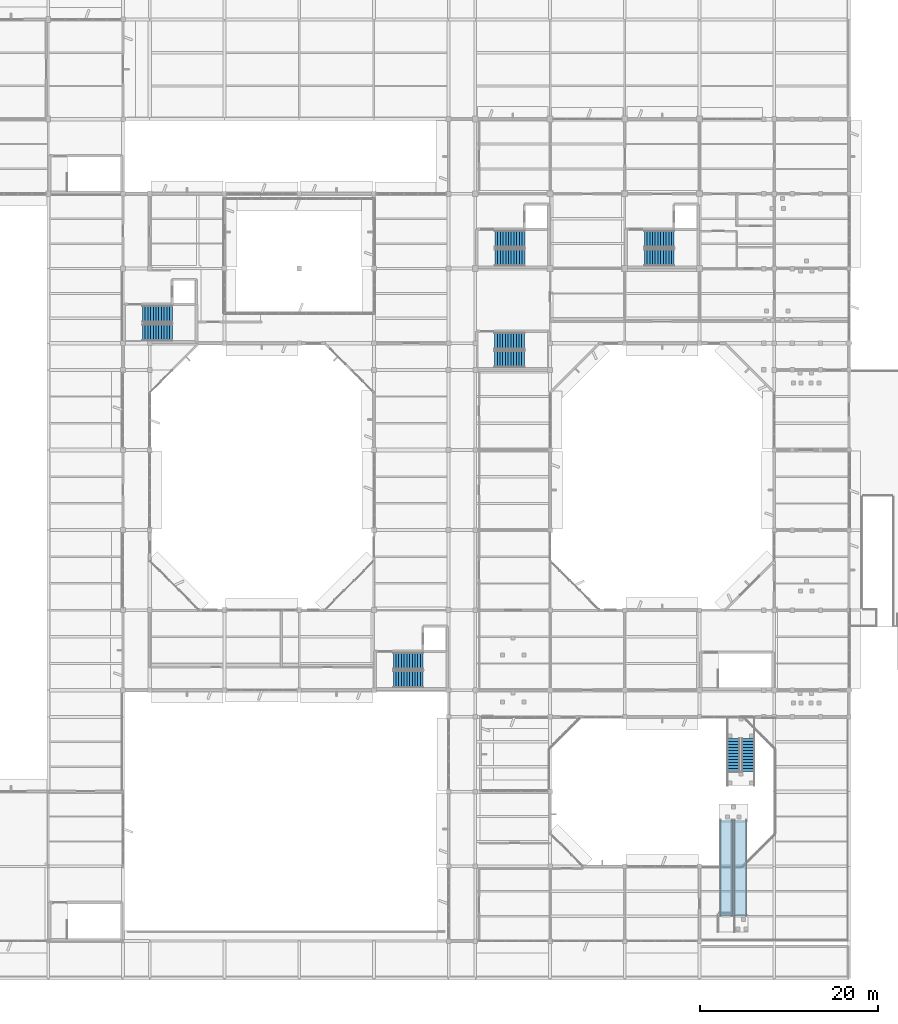
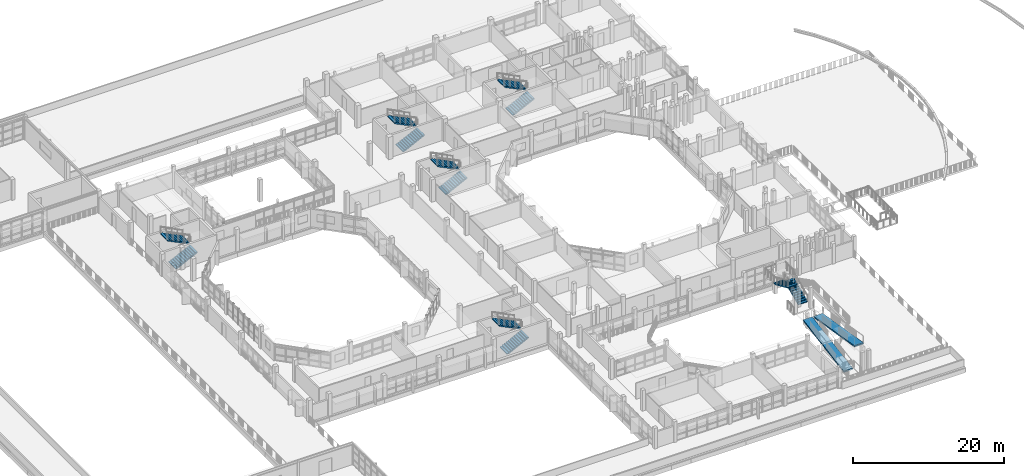
# One storey, part 66 of 92: 12 stair flights, 2 ramp flights, 7 elements without a shape of their own.
"""IFC4 building model written with IfcOpenShell, lengths in metres."""

from ifc_helpers import new_model, si_unit, direction, frame, origin, place, context, subcontext, project, spatial, polyline, outline, extrude, material, layer, layer_set, type_object, element, aggregate, save


model = new_model("IFC4")

# Units and contexts
model_context = context("Model", 3, precision=1e-05, world=origin(), true_north=direction((0.0, 1.0)))
body_context = subcontext(model_context, "Body", "Model", "MODEL_VIEW")
ifc_project = project(units=[si_unit("LENGTHUNIT", "METRE"), si_unit("AREAUNIT", "SQUARE_METRE"), si_unit("VOLUMEUNIT", "CUBIC_METRE"), si_unit("PLANEANGLEUNIT", "RADIAN"), si_unit("MASSUNIT", "GRAM", prefix="KILO")], contexts=[model_context])

# Site, building, storey
site_placement = place(None, origin())
site = spatial("IfcSite", under=ifc_project, at=site_placement, CompositionType="ELEMENT")
building_placement = place(site_placement, origin())
building = spatial("IfcBuilding", under=site, at=building_placement, Name="Vanh Quang Courtyard School", CompositionType="ELEMENT")
storey_placement = place(building_placement, frame((0.0, 0.0, 7.800048828125)))
storey = spatial("IfcBuildingStorey", under=building, at=storey_placement, Name="L02", CompositionType="ELEMENT", Elevation=7.800048828125)

# Stair, stair flights
ifc_material = material(Name="Concrete C30/37", Category="concrete")
stair_type_1 = type_object("IfcStairType", Name="STR-CORE-1450", PredefinedType="HALF_TURN_STAIR", material=ifc_material)
stair_1_placement = place(storey_placement, origin())
stair_1 = element("IfcStair", 1, at=stair_1_placement, inside=storey, type_object=stair_type_1, Name="L02 ST-T3", PredefinedType="HALF_TURN_STAIR")
stair_flight_type_1 = type_object("IfcStairFlightType", Name="FLT-CORE-1450", PredefinedType="STRAIGHT", material=ifc_material)
stair_flight_1_placement = place(storey_placement, frame((108.074951171875, 23.25, 0.0), z_axis=(0.0, 0.0, 1.0), x_axis=(0.0, 1.0, 0.0)))
stair_flight_1 = element("IfcStairFlight", 2, at=stair_flight_1_placement, type_object=stair_flight_type_1, Name="ST-T3 flight 1", NumberOfRisers=12, NumberOfTreads=11, PredefinedType="STRAIGHT", RiserHeight=0.15, TreadLength=0.34, context=body_context, shape_type="SweptSolid", body=[
    extrude(outline(polyline([(0.0, 0.0), (0.0, 0.14990234375), (0.340087890625, 0.14990234375), (0.340087890625, 0.300048828125), (0.679931640625, 0.300048828125), (0.679931640625, 0.449951171875), (1.02001953125, 0.449951171875), (1.02001953125, 0.60009765625), (1.360107421875, 0.60009765625), (1.360107421875, 0.75), (1.699951171875, 0.75), (1.699951171875, 0.89990234375), (2.0400390625, 0.89990234375), (2.0400390625, 1.050048828125), (2.3798828125, 1.050048828125), (2.3798828125, 1.199951171875), (2.719970703125, 1.199951171875), (2.719970703125, 1.35009765625), (3.06005859375, 1.35009765625), (3.06005859375, 1.5), (3.39990234375, 1.5), (3.39990234375, 1.64990234375), (3.739990234375, 1.64990234375), (3.739990234375, 1.800048828125), (3.739990234375, 1.486083984375), (0.371337890625, 0.0), (0.0, 0.0)])), frame((0.0, 0.72509765625, 0.0), z_axis=(0.0, -1.0, 0.0), x_axis=(1.0, 0.0, 0.0)), (0.0, 0.0, 1.0), 1.449951171875),
])
stair_flight_2_placement = place(storey_placement, frame((106.425048828125, 26.989990234375, 1.800048828125), z_axis=(0.0, 0.0, 1.0), x_axis=(0.0, -1.0, 0.0)))
stair_flight_2 = element("IfcStairFlight", 3, at=stair_flight_2_placement, type_object=stair_flight_type_1, Name="ST-T3 flight 2", NumberOfRisers=12, NumberOfTreads=11, PredefinedType="STRAIGHT", RiserHeight=0.15, TreadLength=0.34, context=body_context, shape_type="SweptSolid", body=[
    extrude(outline(polyline([(0.0, 0.0), (0.0, 0.14990234375), (0.340087890625, 0.14990234375), (0.340087890625, 0.300048828125), (0.679931640625, 0.300048828125), (0.679931640625, 0.449951171875), (1.02001953125, 0.449951171875), (1.02001953125, 0.60009765625), (1.360107421875, 0.60009765625), (1.360107421875, 0.75), (1.699951171875, 0.75), (1.699951171875, 0.89990234375), (2.0400390625, 0.89990234375), (2.0400390625, 1.050048828125), (2.3798828125, 1.050048828125), (2.3798828125, 1.199951171875), (2.719970703125, 1.199951171875), (2.719970703125, 1.35009765625), (3.06005859375, 1.35009765625), (3.06005859375, 1.5), (3.39990234375, 1.5), (3.39990234375, 1.64990234375), (3.739990234375, 1.64990234375), (3.739990234375, 1.800048828125), (3.739990234375, 1.486083984375), (0.371337890625, 0.0), (0.0, 0.0)])), frame((0.0, 0.72509765625, 0.0), z_axis=(0.0, -1.0, 0.0), x_axis=(1.0, 0.0, 0.0)), (0.0, 0.0, 1.0), 1.449951171875),
])
aggregate(stair_1, [stair_flight_1, stair_flight_2])

stair_type_2 = type_object("IfcStairType", Name="STR-CORE-1880", PredefinedType="HALF_TURN_STAIR", material=ifc_material)
stair_2_placement = place(storey_placement, origin())
stair_2 = element("IfcStair", 4, at=stair_2_placement, inside=storey, type_object=stair_type_2, Name="L02 ST-05", PredefinedType="HALF_TURN_STAIR")
stair_flight_type_2 = type_object("IfcStairFlightType", Name="FLT-CORE-1880", PredefinedType="STRAIGHT", material=ifc_material)
stair_flight_3_placement = place(storey_placement, frame((79.56005859375, 69.6201171875, 0.0), z_axis=(0.0, 0.0, 1.0), x_axis=(1.0, 0.0, 0.0)))
stair_flight_3 = element("IfcStairFlight", 5, at=stair_flight_3_placement, type_object=stair_flight_type_2, Name="ST-05 flight 1", NumberOfRisers=12, NumberOfTreads=11, PredefinedType="STRAIGHT", RiserHeight=0.15, TreadLength=0.305, context=body_context, shape_type="SweptSolid", body=[
    extrude(outline(polyline([(0.0, 0.0), (0.0, 0.14990234375), (0.304931640625, 0.14990234375), (0.304931640625, 0.300048828125), (0.610107421875, 0.300048828125), (0.610107421875, 0.449951171875), (0.9150390625, 0.449951171875), (0.9150390625, 0.60009765625), (1.219970703125, 0.60009765625), (1.219970703125, 0.75), (1.52490234375, 0.75), (1.52490234375, 0.89990234375), (1.830078125, 0.89990234375), (1.830078125, 1.050048828125), (2.135009765625, 1.050048828125), (2.135009765625, 1.199951171875), (2.43994140625, 1.199951171875), (2.43994140625, 1.35009765625), (2.7451171875, 1.35009765625), (2.7451171875, 1.5), (3.050048828125, 1.5), (3.050048828125, 1.64990234375), (3.35498046875, 1.64990234375), (3.35498046875, 1.800048828125), (3.35498046875, 1.48291015625), (0.339599609375, 0.0), (0.0, 0.0)])), frame((0.0, 0.93994140625, 0.0), z_axis=(0.0, -1.0, 0.0), x_axis=(1.0, 0.0, 0.0)), (0.0, 0.0, 1.0), 1.8798828125),
])
stair_flight_4_placement = place(storey_placement, frame((82.9150390625, 71.659912109375, 1.800048828125), z_axis=(0.0, 0.0, 1.0), x_axis=(-1.0, 0.0, 0.0)))
stair_flight_4 = element("IfcStairFlight", 6, at=stair_flight_4_placement, type_object=stair_flight_type_2, Name="ST-05 flight 2", NumberOfRisers=12, NumberOfTreads=11, PredefinedType="STRAIGHT", RiserHeight=0.15, TreadLength=0.305, context=body_context, shape_type="SweptSolid", body=[
    extrude(outline(polyline([(0.0, 0.0), (0.0, 0.14990234375), (0.304931640625, 0.14990234375), (0.304931640625, 0.300048828125), (0.610107421875, 0.300048828125), (0.610107421875, 0.449951171875), (0.9150390625, 0.449951171875), (0.9150390625, 0.60009765625), (1.219970703125, 0.60009765625), (1.219970703125, 0.75), (1.52490234375, 0.75), (1.52490234375, 0.89990234375), (1.830078125, 0.89990234375), (1.830078125, 1.050048828125), (2.135009765625, 1.050048828125), (2.135009765625, 1.199951171875), (2.43994140625, 1.199951171875), (2.43994140625, 1.35009765625), (2.7451171875, 1.35009765625), (2.7451171875, 1.5), (3.050048828125, 1.5), (3.050048828125, 1.64990234375), (3.35498046875, 1.64990234375), (3.35498046875, 1.800048828125), (3.35498046875, 1.48291015625), (0.339599609375, 0.0), (0.0, 0.0)])), frame((0.0, 0.93994140625, 0.0), z_axis=(0.0, -1.0, 0.0), x_axis=(1.0, 0.0, 0.0)), (0.0, 0.0, 1.0), 1.8798828125),
])
aggregate(stair_2, [stair_flight_3, stair_flight_4])

stair_type_3 = type_object("IfcStairType", Name="STR-CORE-1900", PredefinedType="HALF_TURN_STAIR", material=ifc_material)
stair_3_placement = place(storey_placement, origin())
stair_3 = element("IfcStair", 7, at=stair_3_placement, inside=storey, type_object=stair_type_3, Name="L02 ST-03", PredefinedType="HALF_TURN_STAIR")
stair_flight_type_3 = type_object("IfcStairFlightType", Name="FLT-CORE-1900", PredefinedType="STRAIGHT", material=ifc_material)
stair_flight_5_placement = place(storey_placement, frame((39.97998046875, 72.6298828125, 0.0), z_axis=(0.0, 0.0, 1.0), x_axis=(1.0, 0.0, 0.0)))
stair_flight_5 = element("IfcStairFlight", 8, at=stair_flight_5_placement, type_object=stair_flight_type_3, Name="ST-03 flight 1", NumberOfRisers=12, NumberOfTreads=11, PredefinedType="STRAIGHT", RiserHeight=0.15, TreadLength=0.305, context=body_context, shape_type="SweptSolid", body=[
    extrude(outline(polyline([(0.0, 0.0), (0.0, 0.14990234375), (0.304931640625, 0.14990234375), (0.304931640625, 0.300048828125), (0.610107421875, 0.300048828125), (0.610107421875, 0.449951171875), (0.9150390625, 0.449951171875), (0.9150390625, 0.60009765625), (1.219970703125, 0.60009765625), (1.219970703125, 0.75), (1.52490234375, 0.75), (1.52490234375, 0.89990234375), (1.830078125, 0.89990234375), (1.830078125, 1.050048828125), (2.135009765625, 1.050048828125), (2.135009765625, 1.199951171875), (2.43994140625, 1.199951171875), (2.43994140625, 1.35009765625), (2.7451171875, 1.35009765625), (2.7451171875, 1.5), (3.050048828125, 1.5), (3.050048828125, 1.64990234375), (3.35498046875, 1.64990234375), (3.35498046875, 1.800048828125), (3.35498046875, 1.48291015625), (0.339599609375, 0.0), (0.0, 0.0)])), frame((0.0, 0.949951171875, 0.0), z_axis=(0.0, -1.0, 0.0), x_axis=(1.0, 0.0, 0.0)), (0.0, 0.0, 1.0), 1.89990234375),
])
stair_flight_6_placement = place(storey_placement, frame((43.3349609375, 74.68994140625, 1.800048828125), z_axis=(0.0, 0.0, 1.0), x_axis=(-1.0, 0.0, 0.0)))
stair_flight_6 = element("IfcStairFlight", 9, at=stair_flight_6_placement, type_object=stair_flight_type_3, Name="ST-03 flight 2", NumberOfRisers=12, NumberOfTreads=11, PredefinedType="STRAIGHT", RiserHeight=0.15, TreadLength=0.305, context=body_context, shape_type="SweptSolid", body=[
    extrude(outline(polyline([(0.0, 0.0), (0.0, 0.14990234375), (0.304931640625, 0.14990234375), (0.304931640625, 0.300048828125), (0.610107421875, 0.300048828125), (0.610107421875, 0.449951171875), (0.9150390625, 0.449951171875), (0.9150390625, 0.60009765625), (1.219970703125, 0.60009765625), (1.219970703125, 0.75), (1.52490234375, 0.75), (1.52490234375, 0.89990234375), (1.830078125, 0.89990234375), (1.830078125, 1.050048828125), (2.135009765625, 1.050048828125), (2.135009765625, 1.199951171875), (2.43994140625, 1.199951171875), (2.43994140625, 1.35009765625), (2.7451171875, 1.35009765625), (2.7451171875, 1.5), (3.050048828125, 1.5), (3.050048828125, 1.64990234375), (3.35498046875, 1.64990234375), (3.35498046875, 1.800048828125), (3.35498046875, 1.48291015625), (0.339599609375, 0.0), (0.0, 0.0)])), frame((0.0, 0.949951171875, 0.0), z_axis=(0.0, -1.0, 0.0), x_axis=(1.0, 0.0, 0.0)), (0.0, 0.0, 1.0), 1.89990234375),
])
aggregate(stair_3, [stair_flight_5, stair_flight_6])

stair_4_placement = place(storey_placement, origin())
stair_4 = element("IfcStair", 10, at=stair_4_placement, inside=storey, type_object=stair_type_3, Name="L02 ST-04", PredefinedType="HALF_TURN_STAIR")
stair_flight_7_placement = place(storey_placement, frame((68.179931640625, 33.6298828125, 0.0), z_axis=(0.0, 0.0, 1.0), x_axis=(1.0, 0.0, 0.0)))
stair_flight_7 = element("IfcStairFlight", 11, at=stair_flight_7_placement, type_object=stair_flight_type_3, Name="ST-04 flight 1", NumberOfRisers=12, NumberOfTreads=11, PredefinedType="STRAIGHT", RiserHeight=0.15, TreadLength=0.305, context=body_context, shape_type="SweptSolid", body=[
    extrude(outline(polyline([(0.0, 0.0), (0.0, 0.14990234375), (0.304931640625, 0.14990234375), (0.304931640625, 0.300048828125), (0.610107421875, 0.300048828125), (0.610107421875, 0.449951171875), (0.9150390625, 0.449951171875), (0.9150390625, 0.60009765625), (1.219970703125, 0.60009765625), (1.219970703125, 0.75), (1.52490234375, 0.75), (1.52490234375, 0.89990234375), (1.830078125, 0.89990234375), (1.830078125, 1.050048828125), (2.135009765625, 1.050048828125), (2.135009765625, 1.199951171875), (2.43994140625, 1.199951171875), (2.43994140625, 1.35009765625), (2.7451171875, 1.35009765625), (2.7451171875, 1.5), (3.050048828125, 1.5), (3.050048828125, 1.64990234375), (3.35498046875, 1.64990234375), (3.35498046875, 1.800048828125), (3.35498046875, 1.48291015625), (0.339599609375, 0.0), (0.0, 0.0)])), frame((0.0, 0.949951171875, 0.0), z_axis=(0.0, -1.0, 0.0), x_axis=(1.0, 0.0, 0.0)), (0.0, 0.0, 1.0), 1.89990234375),
])
stair_flight_8_placement = place(storey_placement, frame((71.534912109375, 35.68994140625, 1.800048828125), z_axis=(0.0, 0.0, 1.0), x_axis=(-1.0, 0.0, 0.0)))
stair_flight_8 = element("IfcStairFlight", 12, at=stair_flight_8_placement, type_object=stair_flight_type_3, Name="ST-04 flight 2", NumberOfRisers=12, NumberOfTreads=11, PredefinedType="STRAIGHT", RiserHeight=0.15, TreadLength=0.305, context=body_context, shape_type="SweptSolid", body=[
    extrude(outline(polyline([(0.0, 0.0), (0.0, 0.14990234375), (0.304931640625, 0.14990234375), (0.304931640625, 0.300048828125), (0.610107421875, 0.300048828125), (0.610107421875, 0.449951171875), (0.9150390625, 0.449951171875), (0.9150390625, 0.60009765625), (1.219970703125, 0.60009765625), (1.219970703125, 0.75), (1.52490234375, 0.75), (1.52490234375, 0.89990234375), (1.830078125, 0.89990234375), (1.830078125, 1.050048828125), (2.135009765625, 1.050048828125), (2.135009765625, 1.199951171875), (2.43994140625, 1.199951171875), (2.43994140625, 1.35009765625), (2.7451171875, 1.35009765625), (2.7451171875, 1.5), (3.050048828125, 1.5), (3.050048828125, 1.64990234375), (3.35498046875, 1.64990234375), (3.35498046875, 1.800048828125), (3.35498046875, 1.48291015625), (0.339599609375, 0.0), (0.0, 0.0)])), frame((0.0, 0.949951171875, 0.0), z_axis=(0.0, -1.0, 0.0), x_axis=(1.0, 0.0, 0.0)), (0.0, 0.0, 1.0), 1.89990234375),
])
aggregate(stair_4, [stair_flight_7, stair_flight_8])

stair_type_4 = type_object("IfcStairType", Name="STR-CORE-1920", PredefinedType="HALF_TURN_STAIR", material=ifc_material)
stair_5_placement = place(storey_placement, origin())
stair_5 = element("IfcStair", 13, at=stair_5_placement, inside=storey, type_object=stair_type_4, Name="L02 ST-01", PredefinedType="HALF_TURN_STAIR")
stair_flight_type_4 = type_object("IfcStairFlightType", Name="FLT-CORE-1920", PredefinedType="STRAIGHT", material=ifc_material)
stair_flight_9_placement = place(storey_placement, frame((79.60009765625, 81.0400390625, 0.0), z_axis=(0.0, 0.0, 1.0), x_axis=(1.0, 0.0, 0.0)))
stair_flight_9 = element("IfcStairFlight", 14, at=stair_flight_9_placement, type_object=stair_flight_type_4, Name="ST-01 flight 1", NumberOfRisers=12, NumberOfTreads=11, PredefinedType="STRAIGHT", RiserHeight=0.15, TreadLength=0.305, context=body_context, shape_type="SweptSolid", body=[
    extrude(outline(polyline([(0.0, 0.0), (0.0, 0.14990234375), (0.304931640625, 0.14990234375), (0.304931640625, 0.300048828125), (0.610107421875, 0.300048828125), (0.610107421875, 0.449951171875), (0.9150390625, 0.449951171875), (0.9150390625, 0.60009765625), (1.219970703125, 0.60009765625), (1.219970703125, 0.75), (1.52490234375, 0.75), (1.52490234375, 0.89990234375), (1.830078125, 0.89990234375), (1.830078125, 1.050048828125), (2.135009765625, 1.050048828125), (2.135009765625, 1.199951171875), (2.43994140625, 1.199951171875), (2.43994140625, 1.35009765625), (2.7451171875, 1.35009765625), (2.7451171875, 1.5), (3.050048828125, 1.5), (3.050048828125, 1.64990234375), (3.35498046875, 1.64990234375), (3.35498046875, 1.800048828125), (3.35498046875, 1.48291015625), (0.339599609375, 0.0), (0.0, 0.0)])), frame((0.0, 0.9599609375, 0.0), z_axis=(0.0, -1.0, 0.0), x_axis=(1.0, 0.0, 0.0)), (0.0, 0.0, 1.0), 1.919921875),
])
stair_flight_10_placement = place(storey_placement, frame((82.955078125, 83.1201171875, 1.800048828125), z_axis=(0.0, 0.0, 1.0), x_axis=(-1.0, 0.0, 0.0)))
stair_flight_10 = element("IfcStairFlight", 15, at=stair_flight_10_placement, type_object=stair_flight_type_4, Name="ST-01 flight 2", NumberOfRisers=12, NumberOfTreads=11, PredefinedType="STRAIGHT", RiserHeight=0.15, TreadLength=0.305, context=body_context, shape_type="SweptSolid", body=[
    extrude(outline(polyline([(0.0, 0.0), (0.0, 0.14990234375), (0.304931640625, 0.14990234375), (0.304931640625, 0.300048828125), (0.610107421875, 0.300048828125), (0.610107421875, 0.449951171875), (0.9150390625, 0.449951171875), (0.9150390625, 0.60009765625), (1.219970703125, 0.60009765625), (1.219970703125, 0.75), (1.52490234375, 0.75), (1.52490234375, 0.89990234375), (1.830078125, 0.89990234375), (1.830078125, 1.050048828125), (2.135009765625, 1.050048828125), (2.135009765625, 1.199951171875), (2.43994140625, 1.199951171875), (2.43994140625, 1.35009765625), (2.7451171875, 1.35009765625), (2.7451171875, 1.5), (3.050048828125, 1.5), (3.050048828125, 1.64990234375), (3.35498046875, 1.64990234375), (3.35498046875, 1.800048828125), (3.35498046875, 1.48291015625), (0.339599609375, 0.0), (0.0, 0.0)])), frame((0.0, 0.9599609375, 0.0), z_axis=(0.0, -1.0, 0.0), x_axis=(1.0, 0.0, 0.0)), (0.0, 0.0, 1.0), 1.919921875),
])
aggregate(stair_5, [stair_flight_9, stair_flight_10])

stair_6_placement = place(storey_placement, origin())
stair_6 = element("IfcStair", 16, at=stair_6_placement, inside=storey, type_object=stair_type_4, Name="L02 ST-02", PredefinedType="HALF_TURN_STAIR")
stair_flight_11_placement = place(storey_placement, frame((96.39990234375, 81.0400390625, 0.0), z_axis=(0.0, 0.0, 1.0), x_axis=(1.0, 0.0, 0.0)))
stair_flight_11 = element("IfcStairFlight", 17, at=stair_flight_11_placement, type_object=stair_flight_type_4, Name="ST-02 flight 1", NumberOfRisers=12, NumberOfTreads=11, PredefinedType="STRAIGHT", RiserHeight=0.15, TreadLength=0.305, context=body_context, shape_type="SweptSolid", body=[
    extrude(outline(polyline([(0.0, 0.0), (0.0, 0.14990234375), (0.304931640625, 0.14990234375), (0.304931640625, 0.300048828125), (0.610107421875, 0.300048828125), (0.610107421875, 0.449951171875), (0.9150390625, 0.449951171875), (0.9150390625, 0.60009765625), (1.219970703125, 0.60009765625), (1.219970703125, 0.75), (1.52490234375, 0.75), (1.52490234375, 0.89990234375), (1.830078125, 0.89990234375), (1.830078125, 1.050048828125), (2.135009765625, 1.050048828125), (2.135009765625, 1.199951171875), (2.43994140625, 1.199951171875), (2.43994140625, 1.35009765625), (2.7451171875, 1.35009765625), (2.7451171875, 1.5), (3.050048828125, 1.5), (3.050048828125, 1.64990234375), (3.35498046875, 1.64990234375), (3.35498046875, 1.800048828125), (3.35498046875, 1.48291015625), (0.339599609375, 0.0), (0.0, 0.0)])), frame((0.0, 0.9599609375, 0.0), z_axis=(0.0, -1.0, 0.0), x_axis=(1.0, 0.0, 0.0)), (0.0, 0.0, 1.0), 1.919921875),
])
stair_flight_12_placement = place(storey_placement, frame((99.7548828125, 83.1201171875, 1.800048828125), z_axis=(0.0, 0.0, 1.0), x_axis=(-1.0, 0.0, 0.0)))
stair_flight_12 = element("IfcStairFlight", 18, at=stair_flight_12_placement, type_object=stair_flight_type_4, Name="ST-02 flight 2", NumberOfRisers=12, NumberOfTreads=11, PredefinedType="STRAIGHT", RiserHeight=0.15, TreadLength=0.305, context=body_context, shape_type="SweptSolid", body=[
    extrude(outline(polyline([(0.0, 0.0), (0.0, 0.14990234375), (0.304931640625, 0.14990234375), (0.304931640625, 0.300048828125), (0.610107421875, 0.300048828125), (0.610107421875, 0.449951171875), (0.9150390625, 0.449951171875), (0.9150390625, 0.60009765625), (1.219970703125, 0.60009765625), (1.219970703125, 0.75), (1.52490234375, 0.75), (1.52490234375, 0.89990234375), (1.830078125, 0.89990234375), (1.830078125, 1.050048828125), (2.135009765625, 1.050048828125), (2.135009765625, 1.199951171875), (2.43994140625, 1.199951171875), (2.43994140625, 1.35009765625), (2.7451171875, 1.35009765625), (2.7451171875, 1.5), (3.050048828125, 1.5), (3.050048828125, 1.64990234375), (3.35498046875, 1.64990234375), (3.35498046875, 1.800048828125), (3.35498046875, 1.48291015625), (0.339599609375, 0.0), (0.0, 0.0)])), frame((0.0, 0.9599609375, 0.0), z_axis=(0.0, -1.0, 0.0), x_axis=(1.0, 0.0, 0.0)), (0.0, 0.0, 1.0), 1.919921875),
])
aggregate(stair_6, [stair_flight_11, stair_flight_12])

# Ramp, ramp flights
ramp_type = type_object("IfcRampType", Name="RAMP-ACC-1400", PredefinedType="TWO_STRAIGHT_RUN_RAMP", material=ifc_material)
ramp_placement = place(storey_placement, origin())
ramp = element("IfcRamp", 19, at=ramp_placement, inside=storey, type_object=ramp_type, Name="Ramp RMP-03 (L02)", PredefinedType="TWO_STRAIGHT_RUN_RAMP")
ifc_layer = layer(ifc_material, 0.219970703125)
ifc_layer_set = layer_set([ifc_layer], Name="Concrete C30/37")
ramp_flight_type = type_object("IfcRampFlightType", Name="RAMP-FLT-1400", PredefinedType="STRAIGHT", material=ifc_layer_set)
ramp_flight_1_placement = place(storey_placement, frame((105.60009765625, 7.0, 0.0), z_axis=(0.0, 0.0, 1.0), x_axis=(0.0, 1.0, 0.0)))
ramp_flight_1 = element("IfcRampFlight", 20, at=ramp_flight_1_placement, type_object=ramp_flight_type, Name="Ramp Flight RF-01 (L02)", PredefinedType="STRAIGHT", context=body_context, shape_type="SweptSolid", body=[
    extrude(outline(polyline([(0.0, 0.0), (10.800048828125, 1.800048828125), (10.800048828125, 1.580078125), (0.0, -0.219970703125), (0.0, 0.0)])), frame((0.0, 0.699951171875, 0.0), z_axis=(0.0, -1.0, 0.0), x_axis=(1.0, 0.0, 0.0)), (0.0, 0.0, 1.0), 1.39990234375),
])
ramp_flight_2_placement = place(storey_placement, frame((107.199951171875, 17.800048828125, 1.800048828125), z_axis=(0.0, 0.0, 1.0), x_axis=(0.0, -1.0, 0.0)))
ramp_flight_2 = element("IfcRampFlight", 21, at=ramp_flight_2_placement, type_object=ramp_flight_type, Name="Ramp Flight RF-01 (L02)", PredefinedType="STRAIGHT", context=body_context, shape_type="SweptSolid", body=[
    extrude(outline(polyline([(0.0, 0.0), (10.800048828125, 1.7998046875), (10.800048828125, 1.579833984375), (0.0, -0.219970703125), (0.0, 0.0)])), frame((0.0, 0.699951171875, 0.0), z_axis=(0.0, -1.0, 0.0), x_axis=(1.0, 0.0, 0.0)), (0.0, 0.0, 1.0), 1.39990234375),
])
aggregate(ramp, [ramp_flight_1, ramp_flight_2])

save(model, "model.ifc")
